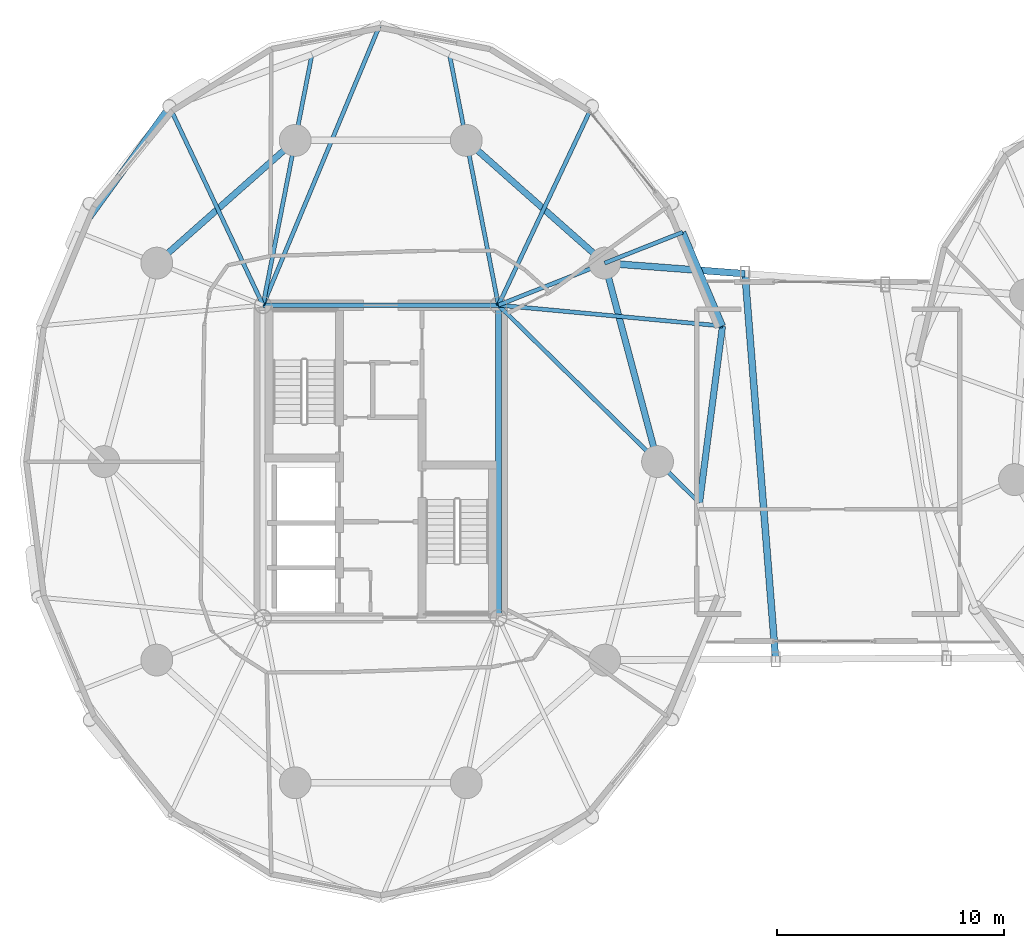
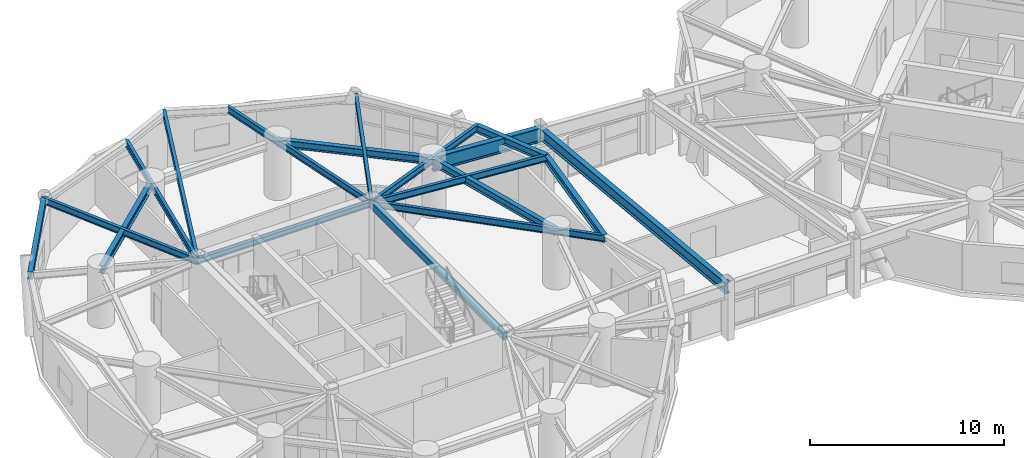
# One storey, part 2 of 19: 19 beams.
"""IFC4 building model written with IfcOpenShell, lengths in metres."""

from ifc_helpers import new_model, si_unit, direction, frame, origin, origin_2d, place, context, subcontext, project, spatial, hollow_rectangle, i_section, extrude, material, material_profile, profile_set, type_object, element, save


model = new_model("IFC4")

# Units and contexts
model_context = context("Model", 3, precision=1e-05, world=origin(), true_north=direction((0.0, 1.0)))
body_context = subcontext(model_context, "Body", "Model", "MODEL_VIEW")
ifc_project = project(units=[si_unit("LENGTHUNIT", "METRE"), si_unit("AREAUNIT", "SQUARE_METRE"), si_unit("VOLUMEUNIT", "CUBIC_METRE"), si_unit("PLANEANGLEUNIT", "RADIAN"), si_unit("MASSUNIT", "GRAM", prefix="KILO")], contexts=[model_context])

# Site, building, storey
site_placement = place(None, origin())
site = spatial("IfcSite", under=ifc_project, at=site_placement, CompositionType="ELEMENT")
building_placement = place(site_placement, origin())
building = spatial("IfcBuilding", under=site, at=building_placement, Name="Cununo Teusaquillo Station Towers", CompositionType="ELEMENT")
storey_placement = place(building_placement, frame((0.0, 0.0, 136.60009765625)))
storey = spatial("IfcBuildingStorey", under=building, at=storey_placement, Name="L43", CompositionType="ELEMENT", Elevation=136.60009765625)

# Beams
ifc_material_1 = material(Name="Steel EN 10025-2 S355J2", Category="steel")
ifc_material_profile_1 = material_profile(ifc_material_1, i_section(OverallWidth=0.300048828125, OverallDepth=0.89990234375, WebThickness=0.0185546875, FlangeThickness=0.034912109375, FilletRadius=0.027099609375, at=origin_2d()), Name="HEB 900")
ifc_profile_set_1 = profile_set([ifc_material_profile_1], Name="Steel EN 10025-2 S355J2")
beam_type_1 = type_object("IfcBeamType", Name="BM-BRG-CH2", PredefinedType="BEAM", material=ifc_profile_set_1)
beam_1_placement = place(storey_placement, frame((26.347412109375, 33.228515625, 2.989990234375), z_axis=(0.997146155085, -0.075495333624, 0.0), x_axis=(0.075495333624, 0.997146155085, 0.0)))
element("IfcBeam", 1, at=beam_1_placement, inside=storey, type_object=beam_type_1, Name="L43 Mid-Bridge Chord N1", PredefinedType="BEAM", context=body_context, shape_type="SweptSolid", body=[
    extrude(i_section(OverallWidth=0.300048828125, OverallDepth=0.89990234375, WebThickness=0.0185546875, FlangeThickness=0.034912109375, FilletRadius=0.027099609375, at=origin_2d()), origin(), (0.0, 0.0, 1.0), 6.186279296875),
])
ifc_material_2 = material(Name="Steel EN 10025-2 S355J2", Category="steel")
ifc_material_profile_2 = material_profile(ifc_material_2, i_section(OverallWidth=0.300048828125, OverallDepth=0.699951171875, WebThickness=0.01708984375, FlangeThickness=0.031982421875, FilletRadius=0.027099609375, at=origin_2d()), Name="HEB 700")
ifc_profile_set_2 = profile_set([ifc_material_profile_2], Name="Steel EN 10025-2 S355J2")
beam_type_2 = type_object("IfcBeamType", Name="BM-BRG-FLR", PredefinedType="BEAM", material=ifc_profile_set_2)
beam_2_placement = place(storey_placement, frame((33.862548828125, 15.81201171875, 3.08984375), z_axis=(-0.079188777853, 0.996859637794, 0.0), x_axis=(-0.996859637794, -0.079188777853, 0.0)))
element("IfcBeam", 2, at=beam_2_placement, inside=storey, type_object=beam_type_2, Name="L43 Mid-Bridge Transverse Floor Girder 1", PredefinedType="BEAM", context=body_context, shape_type="SweptSolid", body=[
    extrude(i_section(OverallWidth=0.300048828125, OverallDepth=0.699951171875, WebThickness=0.01708984375, FlangeThickness=0.031982421875, FilletRadius=0.027099609375, at=origin_2d()), origin(), (0.0, 0.0, 1.0), 17.0029296875),
])
ifc_material_3 = material(Name="Steel EN 10025-2 S355J2", Category="steel")
ifc_material_profile_3 = material_profile(ifc_material_3, hollow_rectangle(XDim=0.25, YDim=0.449951171875, WallThickness=0.01611328125, at=origin_2d()), Name="RHS 450x250x16")
ifc_profile_set_3 = profile_set([ifc_material_profile_3], Name="Steel EN 10025-2 S355J2")
beam_type_3 = type_object("IfcBeamType", Name="BM-COUP-1", PredefinedType="USERDEFINED", material=ifc_profile_set_3)
beam_3_placement = place(storey_placement, frame((21.675048828125, 17.6201171875, 3.21484375), z_axis=(0.0, 1.0, 0.0), x_axis=(-1.0, 0.0, 0.0)))
element("IfcBeam", 3, at=beam_3_placement, inside=storey, type_object=beam_type_3, Name="L43 Tower A Core Beam 2", ObjectType="COUPLING BEAM", PredefinedType="USERDEFINED", context=body_context, shape_type="SweptSolid", body=[
    extrude(hollow_rectangle(XDim=0.25, YDim=0.449951171875, WallThickness=0.01611328125, at=origin_2d()), origin(), (0.0, 0.0, 1.0), 13.759765625),
])
ifc_material_4 = material(Name="Steel ASTM A572 Grade 50", Category="steel")
ifc_material_profile_4 = material_profile(ifc_material_4, i_section(OverallWidth=0.180908203125, OverallDepth=0.4169921875, WebThickness=0.010986328125, FlangeThickness=0.018310546875, FilletRadius=0.012939453125, at=origin_2d()), Name="W16X57")
ifc_profile_set_4 = profile_set([ifc_material_profile_4], Name="Steel ASTM A572 Grade 50")
beam_type_4 = type_object("IfcBeamType", Name="BM-JOIST-1", PredefinedType="JOIST", material=ifc_profile_set_4)
beam_4_placement = place(storey_placement, frame((21.675048828125, 31.3798828125, 3.2314453125), z_axis=(0.995678537907, -0.09286683558, 0.0), x_axis=(0.09286683558, 0.995678537907, 0.0)))
element("IfcBeam", 4, at=beam_4_placement, inside=storey, type_object=beam_type_4, Name="L43 Tower A Radial Spandrel Joist V01", PredefinedType="JOIST", context=body_context, shape_type="SweptSolid", body=[
    extrude(i_section(OverallWidth=0.180908203125, OverallDepth=0.4169921875, WebThickness=0.010986328125, FlangeThickness=0.018310546875, FilletRadius=0.012939453125, at=origin_2d()), origin(), (0.0, 0.0, 1.0), 9.895263671875),
])
beam_5_placement = place(storey_placement, frame((21.675048828125, 31.3798828125, 3.2314453125), z_axis=(0.426319838016, 0.904572493344, 0.0), x_axis=(-0.904572493344, 0.426319838016, 0.0)))
element("IfcBeam", 5, at=beam_5_placement, inside=storey, type_object=beam_type_4, Name="L43 Tower A Radial Spandrel Joist V03", PredefinedType="JOIST", context=body_context, shape_type="SweptSolid", body=[
    extrude(i_section(OverallWidth=0.180908203125, OverallDepth=0.4169921875, WebThickness=0.010986328125, FlangeThickness=0.018310546875, FilletRadius=0.012939453125, at=origin_2d()), origin(), (0.0, 0.0, 1.0), 9.646728515625),
])
beam_6_placement = place(storey_placement, frame((11.324951171875, 31.3798828125, 3.2314453125), z_axis=(0.38487837995, 0.922967297713, 0.0), x_axis=(-0.922967297713, 0.38487837995, 0.0)))
element("IfcBeam", 6, at=beam_6_placement, inside=storey, type_object=beam_type_4, Name="L43 Tower A Radial Spandrel Joist V05", PredefinedType="JOIST", context=body_context, shape_type="SweptSolid", body=[
    extrude(i_section(OverallWidth=0.180908203125, OverallDepth=0.4169921875, WebThickness=0.010986328125, FlangeThickness=0.018310546875, FilletRadius=0.012939453125, at=origin_2d()), origin(), (0.0, 0.0, 1.0), 13.446044921875),
])
beam_7_placement = place(storey_placement, frame((11.324951171875, 31.3798828125, 3.2314453125), z_axis=(-0.426319838016, 0.904572493344, 0.0), x_axis=(-0.904572493344, -0.426319838016, 0.0)))
element("IfcBeam", 7, at=beam_7_placement, inside=storey, type_object=beam_type_4, Name="L43 Tower A Radial Spandrel Joist V07", PredefinedType="JOIST", context=body_context, shape_type="SweptSolid", body=[
    extrude(i_section(OverallWidth=0.180908203125, OverallDepth=0.4169921875, WebThickness=0.010986328125, FlangeThickness=0.018310546875, FilletRadius=0.012939453125, at=origin_2d()), origin(), (0.0, 0.0, 1.0), 9.646728515625),
])
ifc_material_5 = material(Name="Steel ASTM A572 Grade 50", Category="steel")
ifc_material_profile_5 = material_profile(ifc_material_5, i_section(OverallWidth=0.2041015625, OverallDepth=0.35009765625, WebThickness=0.008544921875, FlangeThickness=0.01513671875, FilletRadius=0.011962890625, at=origin_2d()), Name="W14X48")
ifc_profile_set_5 = profile_set([ifc_material_profile_5], Name="Steel ASTM A572 Grade 50")
beam_type_5 = type_object("IfcBeamType", Name="BM-LINTEL-1", PredefinedType="LINTEL", material=ifc_profile_set_5)
beam_8_placement = place(storey_placement, frame((11.324951171875, 31.3798828125, 3.264892578125), z_axis=(1.0, 0.0, 0.0), x_axis=(0.0, 1.0, 0.0)))
element("IfcBeam", 8, at=beam_8_placement, inside=storey, type_object=beam_type_5, Name="L43 Tower A Core Beam 4", PredefinedType="LINTEL", context=body_context, shape_type="SweptSolid", body=[
    extrude(i_section(OverallWidth=0.2041015625, OverallDepth=0.35009765625, WebThickness=0.008544921875, FlangeThickness=0.01513671875, FilletRadius=0.011962890625, at=origin_2d()), origin(), (0.0, 0.0, 1.0), 10.35009765625),
])
ifc_material_6 = material(Name="Steel ASTM A572 Grade 50", Category="steel")
ifc_material_profile_6 = material_profile(ifc_material_6, i_section(OverallWidth=0.180908203125, OverallDepth=0.4169921875, WebThickness=0.010986328125, FlangeThickness=0.018310546875, FilletRadius=0.012939453125, at=origin_2d()), Name="W16X57")
ifc_profile_set_6 = profile_set([ifc_material_profile_6], Name="Steel ASTM A572 Grade 50")
beam_type_6 = type_object("IfcBeamType", Name="BM-RAD-G2", PredefinedType="BEAM", material=ifc_profile_set_6)
beam_9_placement = place(storey_placement, frame((21.675048828125, 31.3798828125, 3.2314453125), z_axis=(0.713047137857, -0.701116095375, 0.0), x_axis=(0.701116095375, 0.713047137857, 0.0)))
element("IfcBeam", 9, at=beam_9_placement, inside=storey, type_object=beam_type_6, Name="L43 Tower A Continuous Overhanging Radial Girder 01", PredefinedType="BEAM", context=body_context, shape_type="SweptSolid", body=[
    extrude(i_section(OverallWidth=0.180908203125, OverallDepth=0.4169921875, WebThickness=0.010986328125, FlangeThickness=0.018310546875, FilletRadius=0.012939453125, at=origin_2d()), origin(), (0.0, 0.0, 1.0), 12.400390625),
])
beam_10_placement = place(storey_placement, frame((21.675048828125, 31.3798828125, 3.2314453125), z_axis=(0.929864104313, 0.367903176814, 0.0), x_axis=(-0.367903176814, 0.929864104313, 0.0)))
element("IfcBeam", 10, at=beam_10_placement, inside=storey, type_object=beam_type_6, Name="L43 Tower A Radial Girder 02A", PredefinedType="BEAM", context=body_context, shape_type="SweptSolid", body=[
    extrude(i_section(OverallWidth=0.180908203125, OverallDepth=0.4169921875, WebThickness=0.010986328125, FlangeThickness=0.018310546875, FilletRadius=0.012939453125, at=origin_2d()), origin(), (0.0, 0.0, 1.0), 5.02490234375),
])
beam_11_placement = place(storey_placement, frame((26.347412109375, 33.228515625, 3.2314453125), z_axis=(0.929861788731, 0.367909029323, 0.0), x_axis=(-0.367909029323, 0.929861788731, 0.0)))
element("IfcBeam", 11, at=beam_11_placement, inside=storey, type_object=beam_type_6, Name="L43 Tower A Perimeter Overhang Girder 02B", PredefinedType="BEAM", context=body_context, shape_type="SweptSolid", body=[
    extrude(i_section(OverallWidth=0.180908203125, OverallDepth=0.4169921875, WebThickness=0.010986328125, FlangeThickness=0.018310546875, FilletRadius=0.012939453125, at=origin_2d()), origin(), (0.0, 0.0, 1.0), 3.690185546875),
])
for number, where, z_axis, x_axis, name in (
    (12, (21.675048828125, 31.3798828125, 3.2314453125), (-0.191552755713, 0.981482318628, 0.0), (-0.981482318628, -0.191552755713, 0.0), "L43 Tower A Continuous Overhanging Radial Girder 03"),
    (13, (11.324951171875, 31.3798828125, 3.2314453125), (0.191552755713, 0.981482318628, 0.0), (-0.981482318628, 0.191552755713, 0.0), "L43 Tower A Continuous Overhanging Radial Girder 04"),
):
    element("IfcBeam", number, at=place(storey_placement, frame(where, z_axis=z_axis, x_axis=x_axis)), inside=storey, type_object=beam_type_6, Name=name, PredefinedType="BEAM", context=body_context, shape_type="SweptSolid", body=[
        extrude(i_section(OverallWidth=0.180908203125, OverallDepth=0.4169921875, WebThickness=0.010986328125, FlangeThickness=0.018310546875, FilletRadius=0.012939453125, at=origin_2d()), origin(), (0.0, 0.0, 1.0), 11.22998046875),
    ])
ifc_material_7 = material(Name="Steel ASTM A572 Grade 50", Category="steel")
ifc_material_profile_7 = material_profile(ifc_material_7, i_section(OverallWidth=0.280029296875, OverallDepth=0.462890625, WebThickness=0.0107421875, FlangeThickness=0.017333984375, FilletRadius=0.013916015625, at=origin_2d()), Name="W18X76")
ifc_profile_set_7 = profile_set([ifc_material_profile_7], Name="Steel ASTM A572 Grade 50")
beam_type_7 = type_object("IfcBeamType", Name="BM-RING-Z2", PredefinedType="SPANDREL", material=ifc_profile_set_7)
beam_12_placement = place(storey_placement, frame((28.672119140625, 24.5, 3.20849609375), z_axis=(-0.257363196347, 0.966314744359, 0.0), x_axis=(-0.966314744359, -0.257363196347, 0.0)))
element("IfcBeam", 14, at=beam_12_placement, inside=storey, type_object=beam_type_7, Name="L43 Tower A Structural Column Ring Girder 01", PredefinedType="SPANDREL", context=body_context, shape_type="SweptSolid", body=[
    extrude(i_section(OverallWidth=0.280029296875, OverallDepth=0.462890625, WebThickness=0.0107421875, FlangeThickness=0.017333984375, FilletRadius=0.013916015625, at=origin_2d()), origin(), (0.0, 0.0, 1.0), 9.03271484375),
])
for number, where, z_axis, x_axis, name in (
    (15, (26.347412109375, 33.228515625, 3.20849609375), (-0.74832120039, 0.66333655187, 0.0), (-0.66333655187, -0.74832120039, 0.0), "L43 Tower A Structural Column Ring Girder 02"),
    (16, (12.738525390625, 38.623291015625, 3.20849609375), (-0.74832120039, -0.66333655187, 0.0), (0.66333655187, -0.74832120039, 0.0), "L43 Tower A Structural Column Ring Girder 04"),
):
    element("IfcBeam", number, at=place(storey_placement, frame(where, z_axis=z_axis, x_axis=x_axis)), inside=storey, type_object=beam_type_7, Name=name, PredefinedType="SPANDREL", context=body_context, shape_type="SweptSolid", body=[
        extrude(i_section(OverallWidth=0.280029296875, OverallDepth=0.462890625, WebThickness=0.0107421875, FlangeThickness=0.017333984375, FilletRadius=0.013916015625, at=origin_2d()), origin(), (0.0, 0.0, 1.0), 8.1328125),
    ])
beam_13_placement = place(storey_placement, frame((30.51708984375, 22.685791015625, 3.20849609375), z_axis=(0.12888124113, 0.991660035337, 0.0), x_axis=(-0.991660035337, 0.12888124113, 0.0)))
element("IfcBeam", 17, at=beam_13_placement, inside=storey, type_object=beam_type_7, Name="L43 Tower A Spandrel Ring Beam 01", PredefinedType="SPANDREL", context=body_context, shape_type="SweptSolid", body=[
    extrude(i_section(OverallWidth=0.280029296875, OverallDepth=0.462890625, WebThickness=0.0107421875, FlangeThickness=0.017333984375, FilletRadius=0.013916015625, at=origin_2d()), origin(), (0.0, 0.0, 1.0), 7.840576171875),
])
beam_14_placement = place(storey_placement, frame((31.527587890625, 30.4609375, 3.20849609375), z_axis=(-0.390299356049, 0.920688010494, 0.0), x_axis=(-0.920688010494, -0.390299356049, 0.0)))
element("IfcBeam", 18, at=beam_14_placement, inside=storey, type_object=beam_type_7, Name="L43 Tower A Spandrel Ring Beam 02", PredefinedType="SPANDREL", context=body_context, shape_type="SweptSolid", body=[
    extrude(i_section(OverallWidth=0.280029296875, OverallDepth=0.462890625, WebThickness=0.0107421875, FlangeThickness=0.017333984375, FilletRadius=0.013916015625, at=origin_2d()), origin(), (0.0, 0.0, 1.0), 4.480712890625),
])
beam_15_placement = place(storey_placement, frame((7.21240234375, 40.10595703125, 3.20849609375), z_axis=(-0.58594455724, -0.810351143543, 0.0), x_axis=(0.810351143543, -0.58594455724, 0.0)))
element("IfcBeam", 19, at=beam_15_placement, inside=storey, type_object=beam_type_7, Name="L43 Tower A Spandrel Ring Beam 08", PredefinedType="SPANDREL", context=body_context, shape_type="SweptSolid", body=[
    extrude(i_section(OverallWidth=0.280029296875, OverallDepth=0.462890625, WebThickness=0.0107421875, FlangeThickness=0.017333984375, FilletRadius=0.013916015625, at=origin_2d()), origin(), (0.0, 0.0, 1.0), 6.8115234375),
])

save(model, "model.ifc")
